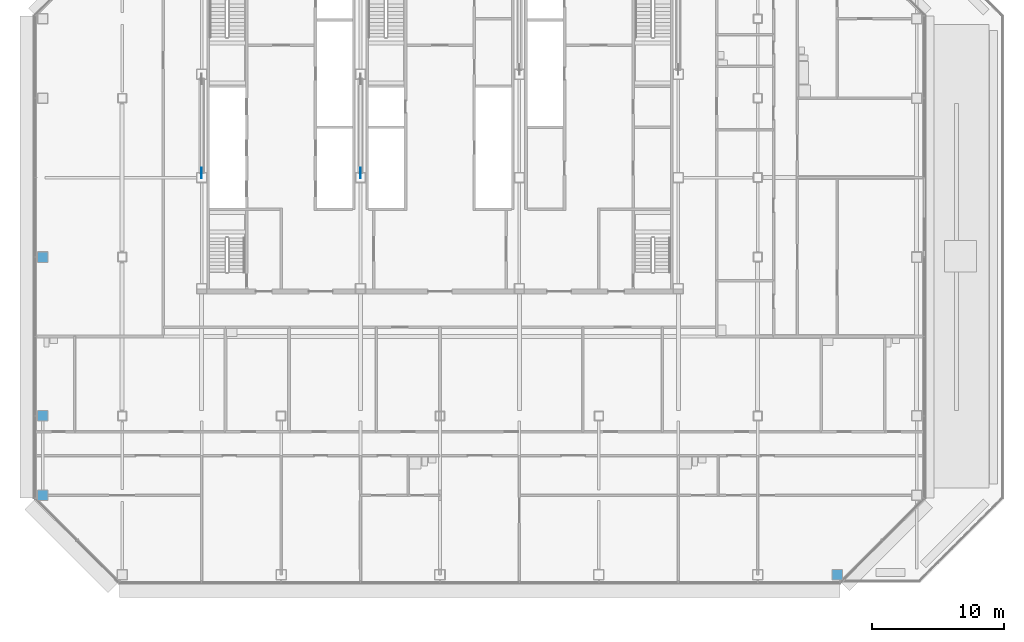
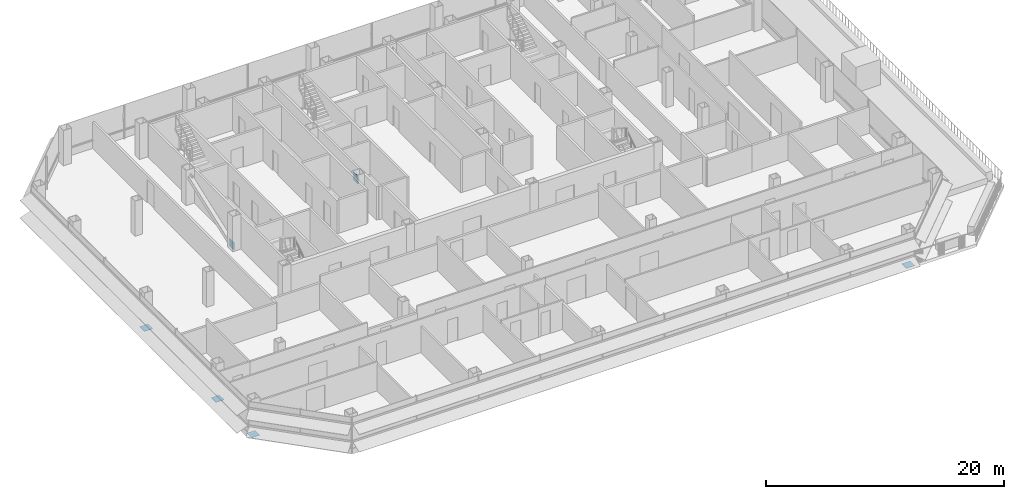
# One storey, part 22 of 28: 6 discrete accessories.
"""IFC4 building model written with IfcOpenShell, lengths in metres."""

from ifc_helpers import new_model, si_unit, direction, frame, origin, origin_2d, place, context, subcontext, project, spatial, rectangle, extrude, material, layer, layer_set, type_object, element, save


model = new_model("IFC4")

# Units and contexts
model_context = context("Model", 3, precision=1e-05, world=origin(), true_north=direction((0.0, 1.0)))
body_context = subcontext(model_context, "Body", "Model", "MODEL_VIEW")
ifc_project = project(units=[si_unit("LENGTHUNIT", "METRE"), si_unit("AREAUNIT", "SQUARE_METRE"), si_unit("VOLUMEUNIT", "CUBIC_METRE"), si_unit("PLANEANGLEUNIT", "RADIAN"), si_unit("MASSUNIT", "GRAM", prefix="KILO")], contexts=[model_context])

# Site, building, storey
site_placement = place(None, origin())
site = spatial("IfcSite", under=ifc_project, at=site_placement, CompositionType="ELEMENT")
building_placement = place(site_placement, origin())
building = spatial("IfcBuilding", under=site, at=building_placement, Name="Sorahane Residences", CompositionType="ELEMENT")
storey_placement = place(building_placement, frame((0.0, 0.0, 96.199951171875)))
storey = spatial("IfcBuildingStorey", under=building, at=storey_placement, Name="L20", CompositionType="ELEMENT", Elevation=96.199951171875)

# Discrete accessories
ifc_material_1 = material(Name="Steel Q355B", Category="steel")
ifc_layer_1 = layer(ifc_material_1, 0.02001953125)
ifc_layer_set_1 = layer_set([ifc_layer_1], Name="End plate Steel Q355B 800x800x20")
discrete_accessory_type_1 = type_object("IfcDiscreteAccessoryType", Name="End plate Steel Q355B 800x800x20", PredefinedType="USERDEFINED", material=ifc_layer_set_1)
for number, where, z_axis, x_axis, name in (
    (1, (54.0, 0.0, -0.320068359375), (0.0, 0.0, 1.0), (1.0, 0.0, 0.0), "End plate L20"),
    (2, (-6.0, 12.0, -0.320068359375), (0.0, 0.0, 1.0), (1.0, 0.0, 0.0), "End plate L20"),
    (3, (-6.0, 24.0, -0.320068359375), (0.0, 0.0, 1.0), (1.0, 0.0, 0.0), "End plate L20"),
    (4, (-6.0, 6.0, -0.320068359375), (0.0, 0.0, 1.0), (1.0, 0.0, 0.0), "End plate L20"),
):
    element("IfcDiscreteAccessory", number, at=place(storey_placement, frame(where, z_axis=z_axis, x_axis=x_axis)), inside=storey, type_object=discrete_accessory_type_1, Name=name, ObjectType="END PLATE", PredefinedType="USERDEFINED", context=body_context, shape_type="SweptSolid", body=[
        extrude(rectangle(XDim=0.800048828125, YDim=0.800048828125, at=origin_2d()), origin(), (0.0, 0.0, 1.0), 0.02001953125),
    ])
ifc_material_2 = material(Name="Steel Q355B", Category="steel")
ifc_layer_2 = layer(ifc_material_2, 0.02490234375)
ifc_layer_set_2 = layer_set([ifc_layer_2], Name="Node plate Steel Q355B 25")
discrete_accessory_type_2 = type_object("IfcDiscreteAccessoryType", Name="Node plate Steel Q355B 25", PredefinedType="BRACKET", material=ifc_layer_set_2)
for number, where, z_axis, x_axis, name in (
    (5, (6.0, 30.358642578125, -0.21533203125), (0.0, 0.0, 1.0), (0.0, 1.0, 0.0), "Node plate L20 br"),
    (6, (18.0, 30.358642578125, 2.38525390625), (0.0, 0.0, 1.0), (0.0, 1.0, 0.0), "Node plate L20 br"),
):
    element("IfcDiscreteAccessory", number, at=place(storey_placement, frame(where, z_axis=z_axis, x_axis=x_axis)), inside=storey, type_object=discrete_accessory_type_2, Name=name, PredefinedType="BRACKET", context=body_context, shape_type="SweptSolid", body=[
        extrude(rectangle(XDim=0.800048828125, YDim=0.02490234375, at=origin_2d()), origin(), (0.0, 0.0, 1.0), 0.800048828125),
    ])

save(model, "model.ifc")
